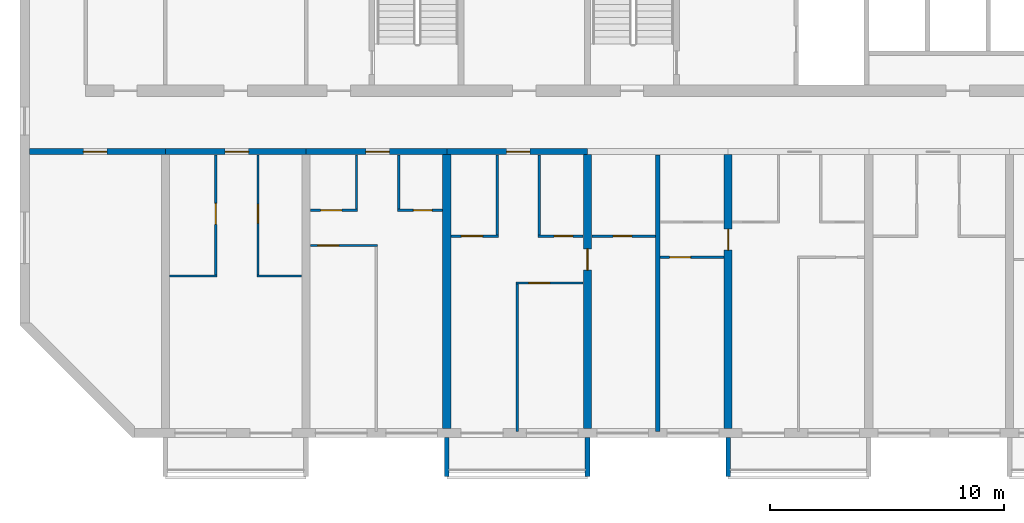
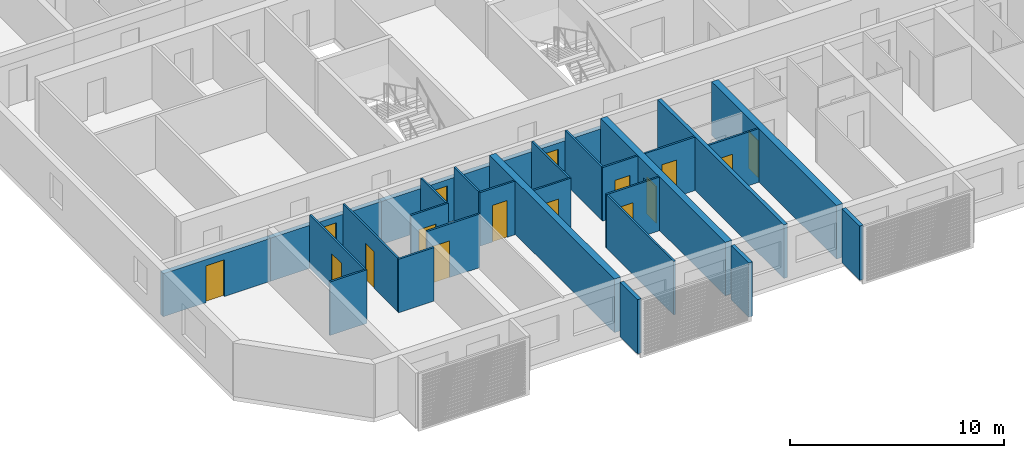
# One storey, part 2 of 31: 28 walls, 16 doors, 16 openings.
"""IFC4 building model written with IfcOpenShell, lengths in metres."""

from ifc_helpers import new_model, si_unit, direction, frame, frame_2d, origin, place, context, subcontext, project, spatial, polyline, rectangle, outline, extrude, source, transform, mapped, material, layer, layer_set, type_object, element, fill, save


model = new_model("IFC4")

# Units and contexts
model_context = context("Model", 3, precision=1e-05, world=origin(), true_north=direction((0.0, 1.0)))
body_context = subcontext(model_context, "Body", "Model", "MODEL_VIEW")
ifc_project = project(units=[si_unit("LENGTHUNIT", "METRE"), si_unit("AREAUNIT", "SQUARE_METRE"), si_unit("VOLUMEUNIT", "CUBIC_METRE"), si_unit("PLANEANGLEUNIT", "RADIAN"), si_unit("MASSUNIT", "GRAM", prefix="KILO")], contexts=[model_context])

# Site, building, storey
site_placement = place(None, origin())
site = spatial("IfcSite", under=ifc_project, at=site_placement, CompositionType="ELEMENT")
building_placement = place(site_placement, origin())
building = spatial("IfcBuilding", under=site, at=building_placement, Name="Poui Terraces", CompositionType="ELEMENT")
storey_placement = place(building_placement, frame((0.0, 0.0, 82.800048828125)))
storey = spatial("IfcBuildingStorey", under=building, at=storey_placement, Name="L22", CompositionType="ELEMENT", Elevation=82.800048828125)

# Wall, opening, door
ifc_material_1 = material(Name="Concrete 65 MPa", Category="concrete")
ifc_layer_1 = layer(ifc_material_1, 0.25)
ifc_layer_set_1 = layer_set([ifc_layer_1], Name="Concrete 65 MPa")
wall_type_1 = type_object("IfcWallType", Name="CORRIDOR WALL 250 65MPa", PredefinedType="SHEAR", material=ifc_layer_set_1)
wall_1_placement = place(storey_placement, frame((6.199951171875, 12.0, 0.0), z_axis=(0.0, 0.0, 1.0), x_axis=(1.0, 0.0, 0.0)))
wall_1 = element("IfcWall", 1, at=wall_1_placement, inside=storey, type_object=wall_type_1, Name="CORRIDOR WALL LINE B BAY 1", PredefinedType="SHEAR", context=body_context, shape_type="SweptSolid", body=[
    extrude(rectangle(XDim=5.800048828125, YDim=0.25, at=frame_2d((2.89990234375, 0.0))), origin(), (0.0, 0.0, 1.0), 2.4599609375),
])
opening_1_placement = place(wall_1_placement, frame((2.300048828125, 0.0, 0.0)))
opening_1 = element("IfcOpeningElement", 2, at=opening_1_placement, cuts=wall_1, Name="Opening D100", PredefinedType="OPENING", context=body_context, shape_type="SweptSolid", body=[
    extrude(rectangle(XDim=1.0, YDim=2.10009765625, at=frame_2d((0.5, 1.050048828125))), frame((0.0, 0.135009765625, 0.0), z_axis=(0.0, -1.0, 0.0), x_axis=(1.0, 0.0, 0.0)), (0.0, 0.0, 1.0), 0.27001953125),
])
ifc_material_2 = material(Name="Solid core timber door", Category="wood")
door_type_1 = type_object("IfcDoorType", Name="ACCESSIBLE INTERNAL DOOR 1000 X 2100", OperationType="NOTDEFINED", PredefinedType="DOOR", material=ifc_material_2)
door_1_placement = place(opening_1_placement, frame((1.0, 0.0, 0.0), z_axis=(0.0, 0.0, 1.0), x_axis=(-1.0, 0.0, 0.0)))
door_1 = element("IfcDoor", 3, at=door_1_placement, inside=storey, type_object=door_type_1, Name="ACCESSIBLE INTERNAL DOOR 085", OperationType="SINGLE_SWING_RIGHT", OverallHeight=2.10009765625, OverallWidth=1.0, PredefinedType="DOOR", context=body_context, shape_type="SweptSolid", body=[
    extrude(rectangle(XDim=1.0, YDim=2.10009765625, at=frame_2d((0.5, 1.050048828125))), frame((0.0, 0.02490234375, 0.0), z_axis=(0.0, -1.0, 0.0), x_axis=(1.0, 0.0, 0.0)), (0.0, 0.0, 1.0), 0.050048828125),
])
fill(opening_1, door_1)

wall_2_placement = place(storey_placement, frame((12.0, 12.0, 0.0), z_axis=(0.0, 0.0, 1.0), x_axis=(1.0, 0.0, 0.0)))
wall_2 = element("IfcWall", 4, at=wall_2_placement, inside=storey, type_object=wall_type_1, Name="CORRIDOR WALL LINE B BAY 2", PredefinedType="SHEAR", context=body_context, shape_type="SweptSolid", body=[
    extrude(rectangle(XDim=6.0, YDim=0.25, at=frame_2d((3.0, 0.0))), origin(), (0.0, 0.0, 1.0), 2.4599609375),
])
opening_2_placement = place(wall_2_placement, frame((2.550048828125, 0.0, 0.0)))
opening_2 = element("IfcOpeningElement", 5, at=opening_2_placement, cuts=wall_2, Name="Opening FD30S", PredefinedType="OPENING", context=body_context, shape_type="SweptSolid", body=[
    extrude(rectangle(XDim=1.0, YDim=2.10009765625, at=frame_2d((0.5, 1.050048828125))), frame((0.0, 0.135009765625, 0.0), z_axis=(0.0, -1.0, 0.0), x_axis=(1.0, 0.0, 0.0)), (0.0, 0.0, 1.0), 0.27001953125),
])
ifc_material_3 = material(Name="Steel fire door", Category="steel")
door_type_2 = type_object("IfcDoorType", Name="FLAT ENTRANCE DOOR 1000 X 2100", OperationType="NOTDEFINED", PredefinedType="DOOR", material=ifc_material_3)
door_2_placement = place(opening_2_placement, frame((1.0, 0.0, 0.0), z_axis=(0.0, 0.0, 1.0), x_axis=(-1.0, 0.0, 0.0)))
door_2 = element("IfcDoor", 6, at=door_2_placement, inside=storey, type_object=door_type_2, Name="FLAT ENTRANCE DOOR 087", OperationType="SINGLE_SWING_LEFT", OverallHeight=2.10009765625, OverallWidth=1.0, PredefinedType="DOOR", context=body_context, shape_type="SweptSolid", body=[
    extrude(rectangle(XDim=1.0, YDim=2.10009765625, at=frame_2d((0.5, 1.050048828125))), frame((0.0, 0.02490234375, 0.0), z_axis=(0.0, -1.0, 0.0), x_axis=(1.0, 0.0, 0.0)), (0.0, 0.0, 1.0), 0.050048828125),
])
fill(opening_2, door_2)

wall_3_placement = place(storey_placement, frame((18.0, 12.0, 0.0), z_axis=(0.0, 0.0, 1.0), x_axis=(1.0, 0.0, 0.0)))
wall_3 = element("IfcWall", 7, at=wall_3_placement, inside=storey, type_object=wall_type_1, Name="CORRIDOR WALL LINE B BAY 3", PredefinedType="SHEAR", context=body_context, shape_type="SweptSolid", body=[
    extrude(rectangle(XDim=6.0, YDim=0.25, at=frame_2d((3.0, 0.0))), origin(), (0.0, 0.0, 1.0), 2.4599609375),
])
opening_3_placement = place(wall_3_placement, frame((2.550048828125, 0.0, 0.0)))
opening_3 = element("IfcOpeningElement", 8, at=opening_3_placement, cuts=wall_3, Name="Opening FD30S", PredefinedType="OPENING", context=body_context, shape_type="SweptSolid", body=[
    extrude(rectangle(XDim=1.0, YDim=2.10009765625, at=frame_2d((0.5, 1.050048828125))), frame((0.0, 0.135009765625, 0.0), z_axis=(0.0, -1.0, 0.0), x_axis=(1.0, 0.0, 0.0)), (0.0, 0.0, 1.0), 0.27001953125),
])
door_3_placement = place(opening_3_placement, frame((1.0, 0.0, 0.0), z_axis=(0.0, 0.0, 1.0), x_axis=(-1.0, 0.0, 0.0)))
door_3 = element("IfcDoor", 9, at=door_3_placement, inside=storey, type_object=door_type_2, Name="FLAT ENTRANCE DOOR 091", OperationType="SINGLE_SWING_LEFT", OverallHeight=2.10009765625, OverallWidth=1.0, PredefinedType="DOOR", context=body_context, shape_type="SweptSolid", body=[
    extrude(rectangle(XDim=1.0, YDim=2.10009765625, at=frame_2d((0.5, 1.050048828125))), frame((0.0, 0.02490234375, 0.0), z_axis=(0.0, -1.0, 0.0), x_axis=(1.0, 0.0, 0.0)), (0.0, 0.0, 1.0), 0.050048828125),
])
fill(opening_3, door_3)

wall_4_placement = place(storey_placement, frame((24.0, 12.0, 0.0), z_axis=(0.0, 0.0, 1.0), x_axis=(1.0, 0.0, 0.0)))
wall_4 = element("IfcWall", 10, at=wall_4_placement, inside=storey, type_object=wall_type_1, Name="CORRIDOR WALL LINE B BAY 4", PredefinedType="SHEAR", context=body_context, shape_type="SweptSolid", body=[
    extrude(rectangle(XDim=6.0, YDim=0.25, at=frame_2d((3.0, 0.0))), origin(), (0.0, 0.0, 1.0), 2.4599609375),
])
opening_4_placement = place(wall_4_placement, frame((2.550048828125, 0.0, 0.0)))
opening_4 = element("IfcOpeningElement", 11, at=opening_4_placement, cuts=wall_4, Name="Opening FD30S", PredefinedType="OPENING", context=body_context, shape_type="SweptSolid", body=[
    extrude(rectangle(XDim=1.0, YDim=2.10009765625, at=frame_2d((0.5, 1.050048828125))), frame((0.0, 0.135009765625, 0.0), z_axis=(0.0, -1.0, 0.0), x_axis=(1.0, 0.0, 0.0)), (0.0, 0.0, 1.0), 0.27001953125),
])
door_4_placement = place(opening_4_placement, frame((1.0, 0.0, 0.0), z_axis=(0.0, 0.0, 1.0), x_axis=(-1.0, 0.0, 0.0)))
door_4 = element("IfcDoor", 12, at=door_4_placement, inside=storey, type_object=door_type_2, Name="FLAT ENTRANCE DOOR 095", OperationType="SINGLE_SWING_LEFT", OverallHeight=2.10009765625, OverallWidth=1.0, PredefinedType="DOOR", context=body_context, shape_type="SweptSolid", body=[
    extrude(rectangle(XDim=1.0, YDim=2.10009765625, at=frame_2d((0.5, 1.050048828125))), frame((0.0, 0.02490234375, 0.0), z_axis=(0.0, -1.0, 0.0), x_axis=(1.0, 0.0, 0.0)), (0.0, 0.0, 1.0), 0.050048828125),
])
fill(opening_4, door_4)

# Wall
ifc_layer_2 = layer(ifc_material_1, 0.35009765625)
ifc_layer_set_2 = layer_set([ifc_layer_2], Name="Concrete 65 MPa")
wall_type_2 = type_object("IfcWallType", Name="CROSS WALL 350 65MPa", PredefinedType="SHEAR", material=ifc_layer_set_2)
wall_5_placement = place(storey_placement, frame((24.0, 0.199951171875, 0.0), z_axis=(0.0, 0.0, 1.0), x_axis=(0.0, 1.0, 0.0)))
element("IfcWall", 13, at=wall_5_placement, inside=storey, type_object=wall_type_2, Name="CROSS WALL LINE 5 SOUTH", PredefinedType="SHEAR", context=body_context, shape_type="SweptSolid", body=[
    extrude(rectangle(XDim=11.675048828125, YDim=0.35009765625, at=frame_2d((5.83740234375, 0.0))), origin(), (0.0, 0.0, 1.0), 3.06005859375),
])

# Wall, opening, door
wall_6_placement = place(storey_placement, frame((30.0, 0.199951171875, 0.0), z_axis=(0.0, 0.0, 1.0), x_axis=(0.0, 1.0, 0.0)))
wall_6 = element("IfcWall", 14, at=wall_6_placement, inside=storey, type_object=wall_type_2, Name="CROSS WALL LINE 6 SOUTH", PredefinedType="SHEAR", context=body_context, shape_type="SweptSolid", body=[
    extrude(rectangle(XDim=11.675048828125, YDim=0.35009765625, at=frame_2d((5.83740234375, 0.0))), origin(), (0.0, 0.0, 1.0), 3.06005859375),
])
opening_5_placement = place(wall_6_placement, frame((6.75, 0.0, 0.0)))
opening_5 = element("IfcOpeningElement", 15, at=opening_5_placement, cuts=wall_6, Name="Opening D90", PredefinedType="OPENING", context=body_context, shape_type="SweptSolid", body=[
    extrude(rectangle(XDim=0.89990234375, YDim=2.10009765625, at=frame_2d((0.449951171875, 1.050048828125))), frame((0.0, 0.18505859375, 0.0), z_axis=(0.0, -1.0, 0.0), x_axis=(1.0, 0.0, 0.0)), (0.0, 0.0, 1.0), 0.3701171875),
])
door_type_3 = type_object("IfcDoorType", Name="INTERNAL DOOR 900 X 2100", OperationType="NOTDEFINED", PredefinedType="DOOR", material=ifc_material_2)
door_5_placement = place(opening_5_placement, frame((0.89990234375, 0.0, 0.0), z_axis=(0.0, 0.0, 1.0), x_axis=(-1.0, 0.0, 0.0)))
door_5 = element("IfcDoor", 16, at=door_5_placement, inside=storey, type_object=door_type_3, Name="INTERNAL DOOR 098", OperationType="SINGLE_SWING_LEFT", OverallHeight=2.10009765625, OverallWidth=0.89990234375, PredefinedType="DOOR", context=body_context, shape_type="SweptSolid", body=[
    extrude(rectangle(XDim=0.89990234375, YDim=2.10009765625, at=frame_2d((0.449951171875, 1.050048828125))), frame((0.0, 0.02490234375, 0.0), z_axis=(0.0, -1.0, 0.0), x_axis=(1.0, 0.0, 0.0)), (0.0, 0.0, 1.0), 0.050048828125),
])
fill(opening_5, door_5)

wall_7_placement = place(storey_placement, frame((36.0, 0.199951171875, 0.0), z_axis=(0.0, 0.0, 1.0), x_axis=(0.0, 1.0, 0.0)))
wall_7 = element("IfcWall", 17, at=wall_7_placement, inside=storey, type_object=wall_type_2, Name="CROSS WALL LINE 7 SOUTH", PredefinedType="SHEAR", context=body_context, shape_type="SweptSolid", body=[
    extrude(rectangle(XDim=11.675048828125, YDim=0.35009765625, at=frame_2d((5.83740234375, 0.0))), origin(), (0.0, 0.0, 1.0), 3.06005859375),
])
opening_6_placement = place(wall_7_placement, frame((7.60009765625, 0.0, 0.0)))
opening_6 = element("IfcOpeningElement", 18, at=opening_6_placement, cuts=wall_7, Name="Opening D90", PredefinedType="OPENING", context=body_context, shape_type="SweptSolid", body=[
    extrude(rectangle(XDim=0.89990234375, YDim=2.10009765625, at=frame_2d((0.449951171875, 1.050048828125))), frame((0.0, 0.18505859375, 0.0), z_axis=(0.0, -1.0, 0.0), x_axis=(1.0, 0.0, 0.0)), (0.0, 0.0, 1.0), 0.3701171875),
])
door_6_placement = place(opening_6_placement, frame((0.89990234375, 0.0, 0.0), z_axis=(0.0, 0.0, 1.0), x_axis=(-1.0, 0.0, 0.0)))
door_6 = element("IfcDoor", 19, at=door_6_placement, inside=storey, type_object=door_type_3, Name="INTERNAL DOOR 101", OperationType="SINGLE_SWING_LEFT", OverallHeight=2.10009765625, OverallWidth=0.89990234375, PredefinedType="DOOR", context=body_context, shape_type="SweptSolid", body=[
    extrude(rectangle(XDim=0.89990234375, YDim=2.10009765625, at=frame_2d((0.449951171875, 1.050048828125))), frame((0.0, 0.02490234375, 0.0), z_axis=(0.0, -1.0, 0.0), x_axis=(1.0, 0.0, 0.0)), (0.0, 0.0, 1.0), 0.050048828125),
])
fill(opening_6, door_6)

ifc_material_4 = material(Name="Plasterboard partition")
ifc_layer_3 = layer(ifc_material_4, 0.10009765625)
ifc_layer_set_3 = layer_set([ifc_layer_3], Name="Plasterboard partition")
wall_type_3 = type_object("IfcWallType", Name="FLAT PARTITION 100", PredefinedType="PARTITIONING", material=ifc_layer_set_3)
wall_8_placement = place(storey_placement, frame((26.949951171875, 6.39990234375, 0.0), z_axis=(0.0, 0.0, 1.0), x_axis=(1.0, 0.0, 0.0)))
wall_8 = element("IfcWall", 20, at=wall_8_placement, inside=storey, type_object=wall_type_3, Name="FLAT PARTITION 100", PredefinedType="PARTITIONING", context=body_context, shape_type="SweptSolid", body=[
    extrude(rectangle(XDim=2.864990234375, YDim=0.10009765625, at=frame_2d((1.4326171875, 0.0))), origin(), (0.0, 0.0, 1.0), 3.06005859375),
])
opening_7_placement = place(wall_8_placement, frame((0.550048828125, 0.0, 0.0)))
opening_7 = element("IfcOpeningElement", 21, at=opening_7_placement, cuts=wall_8, Name="Opening D90", PredefinedType="OPENING", context=body_context, shape_type="SweptSolid", body=[
    extrude(rectangle(XDim=0.89990234375, YDim=2.10009765625, at=frame_2d((0.449951171875, 1.050048828125))), frame((0.0, 0.06005859375, 0.0), z_axis=(0.0, -1.0, 0.0), x_axis=(1.0, 0.0, 0.0)), (0.0, 0.0, 1.0), 0.1201171875),
])
door_7_placement = place(opening_7_placement, origin())
door_7 = element("IfcDoor", 22, at=door_7_placement, inside=storey, type_object=door_type_3, Name="INTERNAL DOOR 096", OperationType="SINGLE_SWING_RIGHT", OverallHeight=2.10009765625, OverallWidth=0.89990234375, PredefinedType="DOOR", context=body_context, shape_type="SweptSolid", body=[
    extrude(rectangle(XDim=0.89990234375, YDim=2.10009765625, at=frame_2d((0.449951171875, 1.050048828125))), frame((0.0, 0.02490234375, 0.0), z_axis=(0.0, -1.0, 0.0), x_axis=(1.0, 0.0, 0.0)), (0.0, 0.0, 1.0), 0.050048828125),
])
fill(opening_7, door_7)

# Walls
wall_9_placement = place(storey_placement, frame((12.18505859375, 6.699951171875, 0.0), z_axis=(0.0, 0.0, 1.0), x_axis=(1.0, 0.0, 0.0)))
element("IfcWall", 23, at=wall_9_placement, inside=storey, type_object=wall_type_3, Name="FLAT PARTITION 100", PredefinedType="PARTITIONING", context=body_context, shape_type="SweptSolid", body=[
    extrude(rectangle(XDim=2.014892578125, YDim=0.10009765625, at=frame_2d((1.00732421875, 0.0))), origin(), (0.0, 0.0, 1.0), 3.06005859375),
])
wall_10_placement = place(storey_placement, frame((15.89990234375, 6.699951171875, 0.0), z_axis=(0.0, 0.0, 1.0), x_axis=(1.0, 0.0, 0.0)))
element("IfcWall", 24, at=wall_10_placement, inside=storey, type_object=wall_type_3, Name="FLAT PARTITION 100", PredefinedType="PARTITIONING", context=body_context, shape_type="SweptSolid", body=[
    extrude(rectangle(XDim=1.9150390625, YDim=0.10009765625, at=frame_2d((0.95751953125, 0.0))), origin(), (0.0, 0.0, 1.0), 3.06005859375),
])

# Wall, opening, door
wall_11_placement = place(storey_placement, frame((33.10009765625, 7.5, 0.0), z_axis=(0.0, 0.0, 1.0), x_axis=(1.0, 0.0, 0.0)))
wall_11 = element("IfcWall", 25, at=wall_11_placement, inside=storey, type_object=wall_type_3, Name="FLAT PARTITION 100", PredefinedType="PARTITIONING", context=body_context, shape_type="SweptSolid", body=[
    extrude(rectangle(XDim=2.71484375, YDim=0.10009765625, at=frame_2d((1.357421875, 0.0))), origin(), (0.0, 0.0, 1.0), 3.06005859375),
])
opening_8_placement = place(wall_11_placement, frame((0.39990234375, 0.0, 0.0)))
opening_8 = element("IfcOpeningElement", 26, at=opening_8_placement, cuts=wall_11, Name="Opening D90", PredefinedType="OPENING", context=body_context, shape_type="SweptSolid", body=[
    extrude(rectangle(XDim=0.89990234375, YDim=2.10009765625, at=frame_2d((0.449951171875, 1.050048828125))), frame((0.0, 0.06005859375, 0.0), z_axis=(0.0, -1.0, 0.0), x_axis=(1.0, 0.0, 0.0)), (0.0, 0.0, 1.0), 0.1201171875),
])
door_8_placement = place(opening_8_placement, frame((0.89990234375, 0.0, 0.0), z_axis=(0.0, 0.0, 1.0), x_axis=(-1.0, 0.0, 0.0)))
door_8 = element("IfcDoor", 27, at=door_8_placement, inside=storey, type_object=door_type_3, Name="INTERNAL DOOR 099", OperationType="SINGLE_SWING_RIGHT", OverallHeight=2.10009765625, OverallWidth=0.89990234375, PredefinedType="DOOR", context=body_context, shape_type="SweptSolid", body=[
    extrude(rectangle(XDim=0.89990234375, YDim=2.10009765625, at=frame_2d((0.449951171875, 1.050048828125))), frame((0.0, 0.02490234375, 0.0), z_axis=(0.0, -1.0, 0.0), x_axis=(1.0, 0.0, 0.0)), (0.0, 0.0, 1.0), 0.050048828125),
])
fill(opening_8, door_8)

wall_12_placement = place(storey_placement, frame((18.18505859375, 8.0, 0.0), z_axis=(0.0, 0.0, 1.0), x_axis=(1.0, 0.0, 0.0)))
wall_12 = element("IfcWall", 28, at=wall_12_placement, inside=storey, type_object=wall_type_3, Name="FLAT PARTITION 100", PredefinedType="PARTITIONING", context=body_context, shape_type="SweptSolid", body=[
    extrude(rectangle(XDim=2.864990234375, YDim=0.10009765625, at=frame_2d((1.4326171875, 0.0))), origin(), (0.0, 0.0, 1.0), 3.06005859375),
])
opening_9_placement = place(wall_12_placement, frame((0.31494140625, 0.0, 0.0)))
opening_9 = element("IfcOpeningElement", 29, at=opening_9_placement, cuts=wall_12, Name="Opening D90", PredefinedType="OPENING", context=body_context, shape_type="SweptSolid", body=[
    extrude(rectangle(XDim=0.89990234375, YDim=2.10009765625, at=frame_2d((0.449951171875, 1.050048828125))), frame((0.0, 0.06005859375, 0.0), z_axis=(0.0, -1.0, 0.0), x_axis=(1.0, 0.0, 0.0)), (0.0, 0.0, 1.0), 0.1201171875),
])
door_9_placement = place(opening_9_placement, origin())
door_9 = element("IfcDoor", 30, at=door_9_placement, inside=storey, type_object=door_type_3, Name="INTERNAL DOOR 089", OperationType="SINGLE_SWING_RIGHT", OverallHeight=2.10009765625, OverallWidth=0.89990234375, PredefinedType="DOOR", context=body_context, shape_type="SweptSolid", body=[
    extrude(rectangle(XDim=0.89990234375, YDim=2.10009765625, at=frame_2d((0.449951171875, 1.050048828125))), frame((0.0, 0.02490234375, 0.0), z_axis=(0.0, -1.0, 0.0), x_axis=(1.0, 0.0, 0.0)), (0.0, 0.0, 1.0), 0.050048828125),
])
fill(opening_9, door_9)

wall_13_placement = place(storey_placement, frame((24.18505859375, 8.39990234375, 0.0), z_axis=(0.0, 0.0, 1.0), x_axis=(1.0, 0.0, 0.0)))
wall_13 = element("IfcWall", 31, at=wall_13_placement, inside=storey, type_object=wall_type_3, Name="FLAT PARTITION 100", PredefinedType="PARTITIONING", context=body_context, shape_type="SweptSolid", body=[
    extrude(rectangle(XDim=2.014892578125, YDim=0.10009765625, at=frame_2d((1.00732421875, 0.0))), origin(), (0.0, 0.0, 1.0), 3.06005859375),
])
opening_10_placement = place(wall_13_placement, frame((0.43994140625, 0.0, 0.0)))
opening_10 = element("IfcOpeningElement", 32, at=opening_10_placement, cuts=wall_13, Name="Opening D90", PredefinedType="OPENING", context=body_context, shape_type="SweptSolid", body=[
    extrude(rectangle(XDim=0.89990234375, YDim=2.10009765625, at=frame_2d((0.449951171875, 1.050048828125))), frame((0.0, 0.06005859375, 0.0), z_axis=(0.0, -1.0, 0.0), x_axis=(1.0, 0.0, 0.0)), (0.0, 0.0, 1.0), 0.1201171875),
])
door_10_placement = place(opening_10_placement, origin())
door_10 = element("IfcDoor", 33, at=door_10_placement, inside=storey, type_object=door_type_3, Name="INTERNAL DOOR 094", OperationType="SINGLE_SWING_RIGHT", OverallHeight=2.10009765625, OverallWidth=0.89990234375, PredefinedType="DOOR", context=body_context, shape_type="SweptSolid", body=[
    extrude(rectangle(XDim=0.89990234375, YDim=2.10009765625, at=frame_2d((0.449951171875, 1.050048828125))), frame((0.0, 0.02490234375, 0.0), z_axis=(0.0, -1.0, 0.0), x_axis=(1.0, 0.0, 0.0)), (0.0, 0.0, 1.0), 0.050048828125),
])
fill(opening_10, door_10)

wall_14_placement = place(storey_placement, frame((27.89990234375, 8.39990234375, 0.0), z_axis=(0.0, 0.0, 1.0), x_axis=(1.0, 0.0, 0.0)))
wall_14 = element("IfcWall", 34, at=wall_14_placement, inside=storey, type_object=wall_type_3, Name="FLAT PARTITION 100", PredefinedType="PARTITIONING", context=body_context, shape_type="SweptSolid", body=[
    extrude(rectangle(XDim=1.9150390625, YDim=0.10009765625, at=frame_2d((0.95751953125, 0.0))), origin(), (0.0, 0.0, 1.0), 3.06005859375),
])
opening_11_placement = place(wall_14_placement, frame((0.675048828125, 0.0, 0.0)))
opening_11 = element("IfcOpeningElement", 35, at=opening_11_placement, cuts=wall_14, Name="Opening D80", PredefinedType="OPENING", context=body_context, shape_type="SweptSolid", body=[
    extrude(rectangle(XDim=0.800048828125, YDim=2.10009765625, at=frame_2d((0.39990234375, 1.050048828125))), frame((0.0, 0.06005859375, 0.0), z_axis=(0.0, -1.0, 0.0), x_axis=(1.0, 0.0, 0.0)), (0.0, 0.0, 1.0), 0.1201171875),
])
door_type_4 = type_object("IfcDoorType", Name="BATHROOM, LAUNDRY AND STORE DOOR 800 X 2100", OperationType="NOTDEFINED", PredefinedType="DOOR", material=ifc_material_2)
door_11_placement = place(opening_11_placement, origin())
door_11 = element("IfcDoor", 36, at=door_11_placement, inside=storey, type_object=door_type_4, Name="BATHROOM, LAUNDRY AND STORE DOOR 097", OperationType="SINGLE_SWING_LEFT", OverallHeight=2.10009765625, OverallWidth=0.800048828125, PredefinedType="DOOR", context=body_context, shape_type="SweptSolid", body=[
    extrude(rectangle(XDim=0.800048828125, YDim=2.10009765625, at=frame_2d((0.39990234375, 1.050048828125))), frame((0.0, 0.02490234375, 0.0), z_axis=(0.0, -1.0, 0.0), x_axis=(1.0, 0.0, 0.0)), (0.0, 0.0, 1.0), 0.050048828125),
])
fill(opening_11, door_11)

wall_15_placement = place(storey_placement, frame((30.18505859375, 8.39990234375, 0.0), z_axis=(0.0, 0.0, 1.0), x_axis=(1.0, 0.0, 0.0)))
wall_15 = element("IfcWall", 37, at=wall_15_placement, inside=storey, type_object=wall_type_3, Name="FLAT PARTITION 100", PredefinedType="PARTITIONING", context=body_context, shape_type="SweptSolid", body=[
    extrude(rectangle(XDim=2.71484375, YDim=0.10009765625, at=frame_2d((1.357421875, 0.0))), origin(), (0.0, 0.0, 1.0), 3.06005859375),
])
opening_12_placement = place(wall_15_placement, frame((0.9150390625, 0.0, 0.0)))
opening_12 = element("IfcOpeningElement", 38, at=opening_12_placement, cuts=wall_15, Name="Opening D80", PredefinedType="OPENING", context=body_context, shape_type="SweptSolid", body=[
    extrude(rectangle(XDim=0.800048828125, YDim=2.10009765625, at=frame_2d((0.39990234375, 1.050048828125))), frame((0.0, 0.06005859375, 0.0), z_axis=(0.0, -1.0, 0.0), x_axis=(1.0, 0.0, 0.0)), (0.0, 0.0, 1.0), 0.1201171875),
])
door_12_placement = place(opening_12_placement, origin())
door_12 = element("IfcDoor", 39, at=door_12_placement, inside=storey, type_object=door_type_4, Name="BATHROOM, LAUNDRY AND STORE DOOR 093", OperationType="SINGLE_SWING_RIGHT", OverallHeight=2.10009765625, OverallWidth=0.800048828125, PredefinedType="DOOR", context=body_context, shape_type="SweptSolid", body=[
    extrude(rectangle(XDim=0.800048828125, YDim=2.10009765625, at=frame_2d((0.39990234375, 1.050048828125))), frame((0.0, 0.02490234375, 0.0), z_axis=(0.0, -1.0, 0.0), x_axis=(1.0, 0.0, 0.0)), (0.0, 0.0, 1.0), 0.050048828125),
])
fill(opening_12, door_12)

wall_16_placement = place(storey_placement, frame((18.18505859375, 9.5, 0.0), z_axis=(0.0, 0.0, 1.0), x_axis=(1.0, 0.0, 0.0)))
wall_16 = element("IfcWall", 40, at=wall_16_placement, inside=storey, type_object=wall_type_3, Name="FLAT PARTITION 100", PredefinedType="PARTITIONING", context=body_context, shape_type="SweptSolid", body=[
    extrude(rectangle(XDim=2.014892578125, YDim=0.10009765625, at=frame_2d((1.00732421875, 0.0))), origin(), (0.0, 0.0, 1.0), 3.06005859375),
])
opening_13_placement = place(wall_16_placement, frame((0.43994140625, 0.0, 0.0)))
opening_13 = element("IfcOpeningElement", 41, at=opening_13_placement, cuts=wall_16, Name="Opening D90", PredefinedType="OPENING", context=body_context, shape_type="SweptSolid", body=[
    extrude(rectangle(XDim=0.89990234375, YDim=2.10009765625, at=frame_2d((0.449951171875, 1.050048828125))), frame((0.0, 0.06005859375, 0.0), z_axis=(0.0, -1.0, 0.0), x_axis=(1.0, 0.0, 0.0)), (0.0, 0.0, 1.0), 0.1201171875),
])
door_13_placement = place(opening_13_placement, origin())
door_13 = element("IfcDoor", 42, at=door_13_placement, inside=storey, type_object=door_type_3, Name="INTERNAL DOOR 090", OperationType="SINGLE_SWING_LEFT", OverallHeight=2.10009765625, OverallWidth=0.89990234375, PredefinedType="DOOR", context=body_context, shape_type="SweptSolid", body=[
    extrude(rectangle(XDim=0.89990234375, YDim=2.10009765625, at=frame_2d((0.449951171875, 1.050048828125))), frame((0.0, 0.02490234375, 0.0), z_axis=(0.0, -1.0, 0.0), x_axis=(1.0, 0.0, 0.0)), (0.0, 0.0, 1.0), 0.050048828125),
])
fill(opening_13, door_13)

wall_17_placement = place(storey_placement, frame((21.89990234375, 9.5, 0.0), z_axis=(0.0, 0.0, 1.0), x_axis=(1.0, 0.0, 0.0)))
wall_17 = element("IfcWall", 43, at=wall_17_placement, inside=storey, type_object=wall_type_3, Name="FLAT PARTITION 100", PredefinedType="PARTITIONING", context=body_context, shape_type="SweptSolid", body=[
    extrude(rectangle(XDim=1.9150390625, YDim=0.10009765625, at=frame_2d((0.95751953125, 0.0))), origin(), (0.0, 0.0, 1.0), 3.06005859375),
])
opening_14_placement = place(wall_17_placement, frame((0.675048828125, 0.0, 0.0)))
opening_14 = element("IfcOpeningElement", 44, at=opening_14_placement, cuts=wall_17, Name="Opening D80", PredefinedType="OPENING", context=body_context, shape_type="SweptSolid", body=[
    extrude(rectangle(XDim=0.800048828125, YDim=2.10009765625, at=frame_2d((0.39990234375, 1.050048828125))), frame((0.0, 0.06005859375, 0.0), z_axis=(0.0, -1.0, 0.0), x_axis=(1.0, 0.0, 0.0)), (0.0, 0.0, 1.0), 0.1201171875),
])
door_14_placement = place(opening_14_placement, origin())
door_14 = element("IfcDoor", 45, at=door_14_placement, inside=storey, type_object=door_type_4, Name="BATHROOM, LAUNDRY AND STORE DOOR 092", OperationType="SINGLE_SWING_RIGHT", OverallHeight=2.10009765625, OverallWidth=0.800048828125, PredefinedType="DOOR", context=body_context, shape_type="SweptSolid", body=[
    extrude(rectangle(XDim=0.800048828125, YDim=2.10009765625, at=frame_2d((0.39990234375, 1.050048828125))), frame((0.0, 0.02490234375, 0.0), z_axis=(0.0, -1.0, 0.0), x_axis=(1.0, 0.0, 0.0)), (0.0, 0.0, 1.0), 0.050048828125),
])
fill(opening_14, door_14)

wall_18_placement = place(storey_placement, frame((14.14990234375, 6.75, 0.0), z_axis=(0.0, 0.0, 1.0), x_axis=(0.0, 1.0, 0.0)))
wall_18 = element("IfcWall", 46, at=wall_18_placement, inside=storey, type_object=wall_type_3, Name="FLAT PARTITION 100", PredefinedType="PARTITIONING", context=body_context, shape_type="SweptSolid", body=[
    extrude(rectangle(XDim=5.114990234375, YDim=0.10009765625, at=frame_2d((2.5576171875, 0.0))), origin(), (0.0, 0.0, 1.0), 3.06005859375),
])
opening_15_placement = place(wall_18_placement, frame((2.14990234375, 0.0, 0.0)))
opening_15 = element("IfcOpeningElement", 47, at=opening_15_placement, cuts=wall_18, Name="Opening D90", PredefinedType="OPENING", context=body_context, shape_type="SweptSolid", body=[
    extrude(rectangle(XDim=0.89990234375, YDim=2.10009765625, at=frame_2d((0.449951171875, 1.050048828125))), frame((0.0, 0.06005859375, 0.0), z_axis=(0.0, -1.0, 0.0), x_axis=(1.0, 0.0, 0.0)), (0.0, 0.0, 1.0), 0.1201171875),
])
door_15_placement = place(opening_15_placement, origin())
door_15 = element("IfcDoor", 48, at=door_15_placement, inside=storey, type_object=door_type_3, Name="INTERNAL DOOR 086", OperationType="SINGLE_SWING_LEFT", OverallHeight=2.10009765625, OverallWidth=0.89990234375, PredefinedType="DOOR", context=body_context, shape_type="SweptSolid", body=[
    extrude(rectangle(XDim=0.89990234375, YDim=2.10009765625, at=frame_2d((0.449951171875, 1.050048828125))), frame((0.0, 0.02490234375, 0.0), z_axis=(0.0, -1.0, 0.0), x_axis=(1.0, 0.0, 0.0)), (0.0, 0.0, 1.0), 0.050048828125),
])
fill(opening_15, door_15)

wall_19_placement = place(storey_placement, frame((15.949951171875, 6.75, 0.0), z_axis=(0.0, 0.0, 1.0), x_axis=(0.0, 1.0, 0.0)))
wall_19 = element("IfcWall", 49, at=wall_19_placement, inside=storey, type_object=wall_type_3, Name="FLAT PARTITION 100", PredefinedType="PARTITIONING", context=body_context, shape_type="SweptSolid", body=[
    extrude(rectangle(XDim=5.114990234375, YDim=0.10009765625, at=frame_2d((2.5576171875, 0.0))), origin(), (0.0, 0.0, 1.0), 3.06005859375),
])
opening_16_placement = place(wall_19_placement, frame((2.199951171875, 0.0, 0.0)))
opening_16 = element("IfcOpeningElement", 50, at=opening_16_placement, cuts=wall_19, Name="Opening D80", PredefinedType="OPENING", context=body_context, shape_type="SweptSolid", body=[
    extrude(rectangle(XDim=0.800048828125, YDim=2.10009765625, at=frame_2d((0.39990234375, 1.050048828125))), frame((0.0, 0.06005859375, 0.0), z_axis=(0.0, -1.0, 0.0), x_axis=(1.0, 0.0, 0.0)), (0.0, 0.0, 1.0), 0.1201171875),
])
door_16_placement = place(opening_16_placement, frame((0.800048828125, 0.0, 0.0), z_axis=(0.0, 0.0, 1.0), x_axis=(-1.0, 0.0, 0.0)))
door_16 = element("IfcDoor", 51, at=door_16_placement, inside=storey, type_object=door_type_4, Name="BATHROOM, LAUNDRY AND STORE DOOR 088", OperationType="SINGLE_SWING_LEFT", OverallHeight=2.10009765625, OverallWidth=0.800048828125, PredefinedType="DOOR", context=body_context, shape_type="SweptSolid", body=[
    extrude(rectangle(XDim=0.800048828125, YDim=2.10009765625, at=frame_2d((0.39990234375, 1.050048828125))), frame((0.0, 0.02490234375, 0.0), z_axis=(0.0, -1.0, 0.0), x_axis=(1.0, 0.0, 0.0)), (0.0, 0.0, 1.0), 0.050048828125),
])
fill(opening_16, door_16)

# Walls
for number, where, z_axis, x_axis, name in (
    (52, (20.14990234375, 9.550048828125, 0.0), (0.0, 0.0, 1.0), (0.0, 1.0, 0.0), "FLAT PARTITION 100"),
    (53, (21.949951171875, 9.550048828125, 0.0), (0.0, 0.0, 1.0), (0.0, 1.0, 0.0), "FLAT PARTITION 100"),
):
    element("IfcWall", number, at=place(storey_placement, frame(where, z_axis=z_axis, x_axis=x_axis)), inside=storey, type_object=wall_type_3, Name=name, PredefinedType="PARTITIONING", context=body_context, shape_type="SweptSolid", body=[
        extrude(rectangle(XDim=2.31494140625, YDim=0.10009765625, at=frame_2d((1.157470703125, 0.0))), origin(), (0.0, 0.0, 1.0), 3.06005859375),
    ])
wall_20_placement = place(storey_placement, frame((26.14990234375, 8.449951171875, 0.0), z_axis=(0.0, 0.0, 1.0), x_axis=(0.0, 1.0, 0.0)))
element("IfcWall", 54, at=wall_20_placement, inside=storey, type_object=wall_type_3, Name="FLAT PARTITION 100", PredefinedType="PARTITIONING", context=body_context, shape_type="SweptSolid", body=[
    extrude(rectangle(XDim=3.4150390625, YDim=0.10009765625, at=frame_2d((1.70751953125, 0.0))), origin(), (0.0, 0.0, 1.0), 3.06005859375),
])
wall_21_placement = place(storey_placement, frame((27.0, 0.06005859375, 0.0), z_axis=(0.0, 0.0, 1.0), x_axis=(0.0, 1.0, 0.0)))
element("IfcWall", 55, at=wall_21_placement, inside=storey, type_object=wall_type_3, Name="FLAT PARTITION 100", PredefinedType="PARTITIONING", context=body_context, shape_type="SweptSolid", body=[
    extrude(rectangle(XDim=6.2900390625, YDim=0.10009765625, at=frame_2d((3.14501953125, 0.0))), origin(), (0.0, 0.0, 1.0), 3.06005859375),
])
wall_22_placement = place(storey_placement, frame((27.949951171875, 8.449951171875, 0.0), z_axis=(0.0, 0.0, 1.0), x_axis=(0.0, 1.0, 0.0)))
element("IfcWall", 56, at=wall_22_placement, inside=storey, type_object=wall_type_3, Name="FLAT PARTITION 100", PredefinedType="PARTITIONING", context=body_context, shape_type="SweptSolid", body=[
    extrude(rectangle(XDim=3.4150390625, YDim=0.10009765625, at=frame_2d((1.70751953125, 0.0))), origin(), (0.0, 0.0, 1.0), 3.06005859375),
])
ifc_material_5 = material(Name="Fire-rated masonry wall", Category="masonry")
ifc_layer_4 = layer(ifc_material_5, 0.199951171875)
ifc_layer_set_4 = layer_set([ifc_layer_4], Name="Fire-rated masonry wall")
wall_type_4 = type_object("IfcWallType", Name="FLAT PARTY WALL 200", PredefinedType="PARTITIONING", material=ifc_layer_set_4)
wall_23_placement = place(storey_placement, frame((33.0, 0.06005859375, 0.0), z_axis=(0.0, 0.0, 1.0), x_axis=(0.0, 1.0, 0.0)))
element("IfcWall", 57, at=wall_23_placement, inside=storey, type_object=wall_type_4, Name="FLAT PARTY WALL 200", PredefinedType="PARTITIONING", context=body_context, shape_type="SweptSolid", body=[
    extrude(rectangle(XDim=11.804931640625, YDim=0.199951171875, at=frame_2d((5.90234375, 0.0))), origin(), (0.0, 0.0, 1.0), 3.06005859375),
])
ifc_material_6 = material(Name="Precast concrete 40 MPa", Category="concrete")
ifc_layer_5 = layer(ifc_material_6, 0.199951171875)
ifc_layer_set_5 = layer_set([ifc_layer_5], Name="Precast concrete 40 MPa")
wall_type_5 = type_object("IfcWallType", Name="REAR FIN 200", PredefinedType="STANDARD", material=ifc_layer_set_5)
shared_shape = source(origin(), body_context, "Body", "SweptSolid", [
    extrude(outline(polyline([(0.0, 0.0), (0.2001953125, 0.0), (0.2001953125, 1.650146484375), (0.0, 1.650146484375), (0.0, 0.0)])), origin(), (0.0, 0.0, 1.0), 3.099853515625),
])
for number, where, name in (
    (58, (23.89990234375, -1.85009765625, 0.0), "REAR FIN"),
    (59, (29.89990234375, -1.85009765625, 0.0), "REAR FIN"),
    (60, (35.89990234375, -1.85009765625, 0.0), "REAR FIN"),
):
    element("IfcWall", number, at=place(storey_placement, frame(where)), inside=storey, type_object=wall_type_5, Name=name, PredefinedType="STANDARD", context=body_context, shape_type="MappedRepresentation", body=[
        mapped(shared_shape, transform((0.0, 0.0, 0.0))),
    ])

save(model, "model.ifc")
